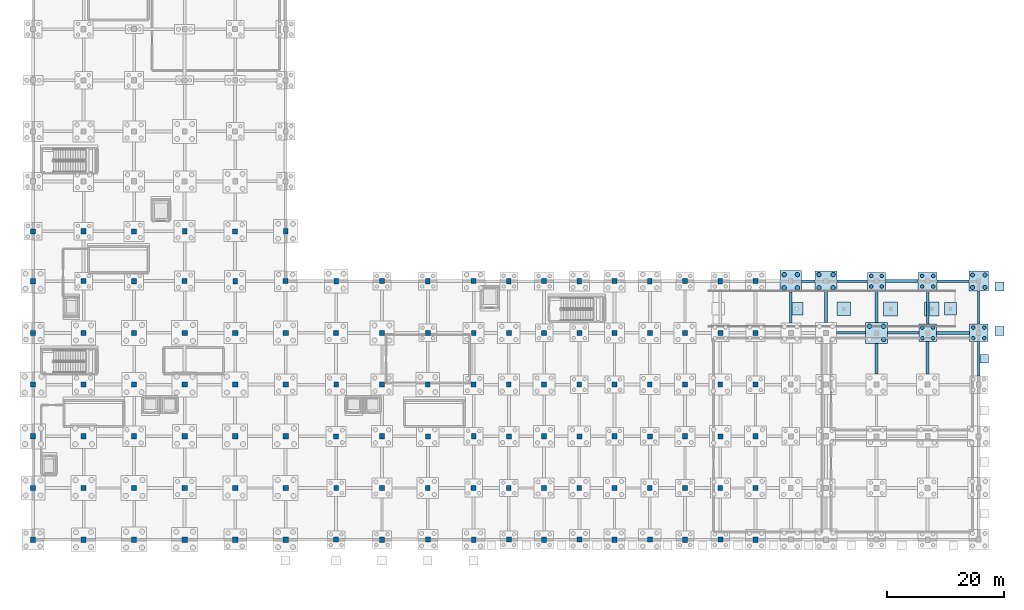
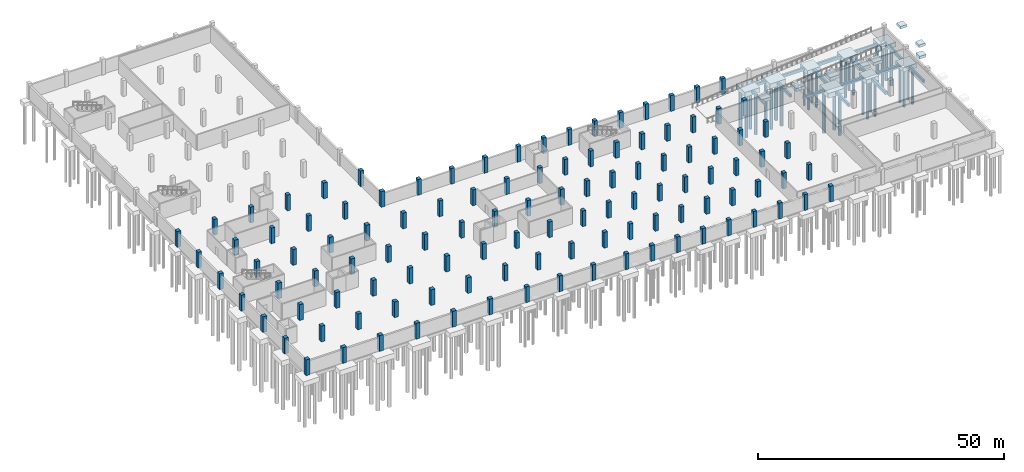
# One storey, part 10 of 28: 114 columns, 31 footings, 31 piles.
"""IFC4 building model written with IfcOpenShell, lengths in metres."""

from ifc_helpers import new_model, si_unit, direction, frame, origin, origin_2d, place, context, subcontext, project, spatial, rectangle, circle, extrude, material, material_profile, profile_set, type_object, element, save


model = new_model("IFC4")

# Units and contexts
model_context = context("Model", 3, precision=1e-05, world=origin(), true_north=direction((0.0, 1.0)))
body_context = subcontext(model_context, "Body", "Model", "MODEL_VIEW")
ifc_project = project(units=[si_unit("LENGTHUNIT", "METRE"), si_unit("AREAUNIT", "SQUARE_METRE"), si_unit("VOLUMEUNIT", "CUBIC_METRE"), si_unit("PLANEANGLEUNIT", "RADIAN"), si_unit("MASSUNIT", "GRAM", prefix="KILO")], contexts=[model_context])

# Site, building, storey
site_placement = place(None, origin())
site = spatial("IfcSite", under=ifc_project, at=site_placement, CompositionType="ELEMENT")
building_placement = place(site_placement, origin())
building = spatial("IfcBuilding", under=site, at=building_placement, Name="Varnakota Cinema and Media Centre", CompositionType="ELEMENT")
storey_placement = place(building_placement, frame((0.0, 0.0, -4.199951171875)))
storey = spatial("IfcBuildingStorey", under=building, at=storey_placement, Name="B1", CompositionType="ELEMENT", Elevation=-4.199951171875)

# Footings
ifc_material_1 = material(Name="Concrete M35", Category="concrete")
ifc_material_profile_1 = material_profile(ifc_material_1, rectangle(XDim=0.39990234375, YDim=0.699951171875, at=origin_2d()), Name="FB 400x700")
ifc_profile_set_1 = profile_set([ifc_material_profile_1], Name="Concrete M35")
footing_type_1 = type_object("IfcFootingType", Name="FB-400x700", PredefinedType="FOOTING_BEAM", material=ifc_profile_set_1)
footing_1_placement = place(storey_placement, frame((136.800048828125, 35.199951171875, -0.60009765625), z_axis=(1.0, 0.0, 0.0), x_axis=(0.0, 1.0, 0.0)))
element("IfcFooting", 1, at=footing_1_placement, inside=storey, type_object=footing_type_1, Name="Foundation tie beam V-W/5", PredefinedType="FOOTING_BEAM", context=body_context, shape_type="SweptSolid", body=[
    extrude(rectangle(XDim=0.39990234375, YDim=0.699951171875, at=origin_2d()), origin(), (0.0, 0.0, 1.0), 4.89990234375),
])
footing_2_placement = place(storey_placement, frame((130.800048828125, 44.0, -0.60009765625), z_axis=(1.0, 0.0, 0.0), x_axis=(0.0, 1.0, 0.0)))
element("IfcFooting", 2, at=footing_2_placement, inside=storey, type_object=footing_type_1, Name="Foundation tie beam U-V/6", PredefinedType="FOOTING_BEAM", context=body_context, shape_type="SweptSolid", body=[
    extrude(rectangle(XDim=0.39990234375, YDim=0.699951171875, at=origin_2d()), origin(), (0.0, 0.0, 1.0), 2.300048828125),
])
footing_3_placement = place(storey_placement, frame((153.89990234375, 44.0, -0.60009765625), z_axis=(1.0, 0.0, 0.0), x_axis=(0.0, 1.0, 0.0)))
element("IfcFooting", 3, at=footing_3_placement, inside=storey, type_object=footing_type_1, Name="Foundation tie beam X-Y/6", PredefinedType="FOOTING_BEAM", context=body_context, shape_type="SweptSolid", body=[
    extrude(rectangle(XDim=0.39990234375, YDim=0.699951171875, at=origin_2d()), origin(), (0.0, 0.0, 1.0), 5.400146484375),
])
footing_4_placement = place(storey_placement, frame((129.0, 36.89990234375, -0.60009765625), z_axis=(0.0, 1.0, 0.0), x_axis=(-1.0, 0.0, 0.0)))
element("IfcFooting", 4, at=footing_4_placement, inside=storey, type_object=footing_type_1, Name="Foundation tie beam U/5-6", PredefinedType="FOOTING_BEAM", context=body_context, shape_type="SweptSolid", body=[
    extrude(rectangle(XDim=0.39990234375, YDim=0.699951171875, at=origin_2d()), origin(), (0.0, 0.0, 1.0), 5.300048828125),
])
footing_5_placement = place(storey_placement, frame((152.300048828125, 36.699951171875, -0.60009765625), z_axis=(0.0, 1.0, 0.0), x_axis=(-1.0, 0.0, 0.0)))
element("IfcFooting", 5, at=footing_5_placement, inside=storey, type_object=footing_type_1, Name="Foundation tie beam X/5-6", PredefinedType="FOOTING_BEAM", context=body_context, shape_type="SweptSolid", body=[
    extrude(rectangle(XDim=0.39990234375, YDim=0.699951171875, at=origin_2d()), origin(), (0.0, 0.0, 1.0), 5.824951171875),
])
footing_6_placement = place(storey_placement, frame((161.0, 27.89990234375, -0.60009765625), z_axis=(0.0, 1.0, 0.0), x_axis=(-1.0, 0.0, 0.0)))
element("IfcFooting", 6, at=footing_6_placement, inside=storey, type_object=footing_type_1, Name="Foundation tie beam Y/4-5", PredefinedType="FOOTING_BEAM", context=body_context, shape_type="SweptSolid", body=[
    extrude(rectangle(XDim=0.39990234375, YDim=0.699951171875, at=origin_2d()), origin(), (0.0, 0.0, 1.0), 5.8251953125),
])
ifc_material_2 = material(Name="Concrete M35", Category="concrete")
ifc_material_profile_2 = material_profile(ifc_material_2, rectangle(XDim=0.449951171875, YDim=0.75, at=origin_2d()), Name="FB 450x750")
ifc_profile_set_2 = profile_set([ifc_material_profile_2], Name="Concrete M35")
footing_type_2 = type_object("IfcFootingType", Name="FB-450x750", PredefinedType="FOOTING_BEAM", material=ifc_profile_set_2)
footing_7_placement = place(storey_placement, frame((145.5, 35.199951171875, -0.625), z_axis=(1.0, 0.0, 0.0), x_axis=(0.0, 1.0, 0.0)))
element("IfcFooting", 7, at=footing_7_placement, inside=storey, type_object=footing_type_2, Name="Foundation tie beam W-X/5", PredefinedType="FOOTING_BEAM", context=body_context, shape_type="SweptSolid", body=[
    extrude(rectangle(XDim=0.449951171875, YDim=0.75, at=origin_2d()), origin(), (0.0, 0.0, 1.0), 5.300048828125),
])
footing_8_placement = place(storey_placement, frame((136.89990234375, 44.0, -0.625), z_axis=(1.0, 0.0, 0.0), x_axis=(0.0, 1.0, 0.0)))
element("IfcFooting", 8, at=footing_8_placement, inside=storey, type_object=footing_type_2, Name="Foundation tie beam V-W/6", PredefinedType="FOOTING_BEAM", context=body_context, shape_type="SweptSolid", body=[
    extrude(rectangle(XDim=0.449951171875, YDim=0.75, at=origin_2d()), origin(), (0.0, 0.0, 1.0), 5.2001953125),
])
for number, where, z_axis, x_axis, name in (
    (9, (135.0, 37.0, -0.625), (0.0, 1.0, 0.0), (-1.0, 0.0, 0.0), "Foundation tie beam V/5-6"),
    (10, (143.60009765625, 28.199951171875, -0.625), (0.0, 1.0, 0.0), (-1.0, 0.0, 0.0), "Foundation tie beam W/4-5"),
):
    element("IfcFooting", number, at=place(storey_placement, frame(where, z_axis=z_axis, x_axis=x_axis)), inside=storey, type_object=footing_type_2, Name=name, PredefinedType="FOOTING_BEAM", context=body_context, shape_type="SweptSolid", body=[
        extrude(rectangle(XDim=0.449951171875, YDim=0.75, at=origin_2d()), origin(), (0.0, 0.0, 1.0), 5.22509765625),
    ])
footing_9_placement = place(storey_placement, frame((161.0, 36.675048828125, -0.625), z_axis=(0.0, 1.0, 0.0), x_axis=(-1.0, 0.0, 0.0)))
element("IfcFooting", 11, at=footing_9_placement, inside=storey, type_object=footing_type_2, Name="Foundation tie beam Y/5-6", PredefinedType="FOOTING_BEAM", context=body_context, shape_type="SweptSolid", body=[
    extrude(rectangle(XDim=0.449951171875, YDim=0.75, at=origin_2d()), origin(), (0.0, 0.0, 1.0), 5.625),
])
ifc_material_3 = material(Name="Concrete M35", Category="concrete")
ifc_material_profile_3 = material_profile(ifc_material_3, rectangle(XDim=0.5, YDim=0.800048828125, at=origin_2d()), Name="FB 500x800")
ifc_profile_set_3 = profile_set([ifc_material_profile_3], Name="Concrete M35")
footing_type_3 = type_object("IfcFootingType", Name="FB-500x800", PredefinedType="FOOTING_BEAM", material=ifc_profile_set_3)
for number, where, z_axis, x_axis, name in (
    (12, (153.800048828125, 35.199951171875, -0.650146484375), (1.0, 0.0, 0.0), (0.0, 1.0, 0.0), "Foundation tie beam X-Y/5"),
    (13, (145.10009765625, 44.0, -0.650146484375), (1.0, 0.0, 0.0), (0.0, 1.0, 0.0), "Foundation tie beam W-X/6"),
):
    element("IfcFooting", number, at=place(storey_placement, frame(where, z_axis=z_axis, x_axis=x_axis)), inside=storey, type_object=footing_type_3, Name=name, PredefinedType="FOOTING_BEAM", context=body_context, shape_type="SweptSolid", body=[
        extrude(rectangle(XDim=0.5, YDim=0.800048828125, at=origin_2d()), origin(), (0.0, 0.0, 1.0), 5.599853515625),
    ])
for number, where, z_axis, x_axis, name in (
    (14, (143.60009765625, 36.97509765625, -0.650146484375), (0.0, 1.0, 0.0), (-1.0, 0.0, 0.0), "Foundation tie beam W/5-6"),
    (15, (152.300048828125, 28.175048828125, -0.650146484375), (0.0, 1.0, 0.0), (-1.0, 0.0, 0.0), "Foundation tie beam X/4-5"),
):
    element("IfcFooting", number, at=place(storey_placement, frame(where, z_axis=z_axis, x_axis=x_axis)), inside=storey, type_object=footing_type_3, Name=name, PredefinedType="FOOTING_BEAM", context=body_context, shape_type="SweptSolid", body=[
        extrude(rectangle(XDim=0.5, YDim=0.800048828125, at=origin_2d()), origin(), (0.0, 0.0, 1.0), 5.52490234375),
    ])
ifc_material_4 = material(Name="Concrete M35", Category="concrete")
footing_type_4 = type_object("IfcFootingType", Name="PC-4P-600", PredefinedType="PILE_CAP", material=ifc_material_4)
for number, where, z_axis, x_axis, name in (
    (16, (143.60009765625, 44.0, -1.30029296875), (0.0, 0.0, 1.0), (1.0, 0.0, 0.0), "Pile cap W/6"),
    (17, (152.300048828125, 35.199951171875, -1.30029296875), (0.0, 0.0, 1.0), (1.0, 0.0, 0.0), "Pile cap X/5"),
):
    element("IfcFooting", number, at=place(storey_placement, frame(where, z_axis=z_axis, x_axis=x_axis)), inside=storey, type_object=footing_type_4, Name=name, PredefinedType="PILE_CAP", context=body_context, shape_type="SweptSolid", body=[
        extrude(rectangle(XDim=3.0, YDim=3.0, at=origin_2d()), origin(), (0.0, 0.0, 1.0), 1.050048828125),
    ])
ifc_material_5 = material(Name="Concrete M35", Category="concrete")
footing_type_5 = type_object("IfcFootingType", Name="PC-4P-600R", PredefinedType="PILE_CAP", material=ifc_material_5)
for number, where, z_axis, x_axis, name in (
    (18, (152.300048828125, 44.0, -1.330078125), (0.0, 0.0, 1.0), (1.0, 0.0, 0.0), "Pile cap X/6"),
    (19, (161.0, 35.199951171875, -1.330078125), (0.0, 0.0, 1.0), (1.0, 0.0, 0.0), "Pile cap Y/5"),
):
    element("IfcFooting", number, at=place(storey_placement, frame(where, z_axis=z_axis, x_axis=x_axis)), inside=storey, type_object=footing_type_5, Name=name, PredefinedType="PILE_CAP", context=body_context, shape_type="SweptSolid", body=[
        extrude(rectangle(XDim=3.199951171875, YDim=2.949951171875, at=origin_2d()), origin(), (0.0, 0.0, 1.0), 1.080078125),
    ])
ifc_material_6 = material(Name="Concrete M35", Category="concrete")
footing_type_6 = type_object("IfcFootingType", Name="PC-4P-700", PredefinedType="PILE_CAP", material=ifc_material_6)
footing_10_placement = place(storey_placement, frame((161.0, 44.0, -1.3701171875), z_axis=(0.0, 0.0, 1.0), x_axis=(1.0, 0.0, 0.0)))
element("IfcFooting", 20, at=footing_10_placement, inside=storey, type_object=footing_type_6, Name="Pile cap Y/6", PredefinedType="PILE_CAP", context=body_context, shape_type="SweptSolid", body=[
    extrude(rectangle(XDim=3.39990234375, YDim=3.39990234375, at=origin_2d()), origin(), (0.0, 0.0, 1.0), 1.1201171875),
])
ifc_material_7 = material(Name="Concrete M35", Category="concrete")
footing_type_7 = type_object("IfcFootingType", Name="PC-4P-750", PredefinedType="PILE_CAP", material=ifc_material_7)
footing_11_placement = place(storey_placement, frame((129.0, 44.0, -1.43017578125), z_axis=(0.0, 0.0, 1.0), x_axis=(1.0, 0.0, 0.0)))
element("IfcFooting", 21, at=footing_11_placement, inside=storey, type_object=footing_type_7, Name="Pile cap U/6", PredefinedType="PILE_CAP", context=body_context, shape_type="SweptSolid", body=[
    extrude(rectangle(XDim=3.60009765625, YDim=3.60009765625, at=origin_2d()), origin(), (0.0, 0.0, 1.0), 1.179931640625),
])
ifc_material_8 = material(Name="Concrete M35", Category="concrete")
footing_type_8 = type_object("IfcFootingType", Name="PC-4P-750R", PredefinedType="PILE_CAP", material=ifc_material_8)
for number, where, z_axis, x_axis, name in (
    (22, (135.0, 44.0, -1.4501953125), (0.0, 0.0, 1.0), (1.0, 0.0, 0.0), "Pile cap V/6"),
    (23, (143.60009765625, 35.199951171875, -1.4501953125), (0.0, 0.0, 1.0), (1.0, 0.0, 0.0), "Pile cap W/5"),
):
    element("IfcFooting", number, at=place(storey_placement, frame(where, z_axis=z_axis, x_axis=x_axis)), inside=storey, type_object=footing_type_8, Name=name, PredefinedType="PILE_CAP", context=body_context, shape_type="SweptSolid", body=[
        extrude(rectangle(XDim=3.800048828125, YDim=3.550048828125, at=origin_2d()), origin(), (0.0, 0.0, 1.0), 1.199951171875),
    ])
ifc_material_9 = material(Name="Concrete M35", Category="concrete")
footing_type_9 = type_object("IfcFootingType", Name="PF-150", PredefinedType="PAD_FOOTING", material=ifc_material_9)
for number, where, z_axis, x_axis, name in (
    (24, (164.550048828125, 35.5, 2.594970703125), (0.0, 0.0, 1.0), (1.0, 0.0, 0.0), "East ramp apron edge pad footing 1"),
    (25, (164.550048828125, 43.10009765625, 2.594970703125), (0.0, 0.0, 1.0), (1.0, 0.0, 0.0), "East ramp apron edge pad footing 2"),
    (26, (161.949951171875, 30.800048828125, 3.52490234375), (0.0, 0.0, 1.0), (1.0, 0.0, 0.0), "Hall east buttress pad footing 4"),
):
    element("IfcFooting", number, at=place(storey_placement, frame(where, z_axis=z_axis, x_axis=x_axis)), inside=storey, type_object=footing_type_9, Name=name, PredefinedType="PAD_FOOTING", context=body_context, shape_type="SweptSolid", body=[
        extrude(rectangle(XDim=1.5, YDim=1.5, at=origin_2d()), origin(), (0.0, 0.0, 1.0), 0.64990234375),
    ])
ifc_material_10 = material(Name="Concrete M35", Category="concrete")
footing_type_10 = type_object("IfcFootingType", Name="PF-210", PredefinedType="PAD_FOOTING", material=ifc_material_10)
for number, where, z_axis, x_axis, name in (
    (27, (156.199951171875, 39.300048828125, -1.0), (0.0, 0.0, 1.0), (1.0, 0.0, 0.0), "B1 car ramp top sill pad"),
    (28, (130.0, 39.300048828125, -1.0), (0.0, 0.0, 1.0), (1.0, 0.0, 0.0), "B1 car ramp pier pad X=130"),
):
    element("IfcFooting", number, at=place(storey_placement, frame(where, z_axis=z_axis, x_axis=x_axis)), inside=storey, type_object=footing_type_10, Name=name, PredefinedType="PAD_FOOTING", context=body_context, shape_type="SweptSolid", body=[
        extrude(rectangle(XDim=2.10009765625, YDim=2.10009765625, at=origin_2d()), origin(), (0.0, 0.0, 1.0), 0.75),
    ])
ifc_material_11 = material(Name="Concrete M35", Category="concrete")
footing_type_11 = type_object("IfcFootingType", Name="PF-225", PredefinedType="PAD_FOOTING", material=ifc_material_11)
footing_12_placement = place(storey_placement, frame((138.0, 39.300048828125, -1.0302734375), z_axis=(0.0, 0.0, 1.0), x_axis=(1.0, 0.0, 0.0)))
element("IfcFooting", 29, at=footing_12_placement, inside=storey, type_object=footing_type_11, Name="B1 car ramp pier pad X=138", PredefinedType="PAD_FOOTING", context=body_context, shape_type="SweptSolid", body=[
    extrude(rectangle(XDim=2.25, YDim=2.25, at=origin_2d()), origin(), (0.0, 0.0, 1.0), 0.780029296875),
])
ifc_material_12 = material(Name="Concrete M35", Category="concrete")
footing_type_12 = type_object("IfcFootingType", Name="PF-240", PredefinedType="PAD_FOOTING", material=ifc_material_12)
footing_13_placement = place(storey_placement, frame((146.0, 39.300048828125, -1.05029296875), z_axis=(0.0, 0.0, 1.0), x_axis=(1.0, 0.0, 0.0)))
element("IfcFooting", 30, at=footing_13_placement, inside=storey, type_object=footing_type_12, Name="B1 car ramp pier pad X=146", PredefinedType="PAD_FOOTING", context=body_context, shape_type="SweptSolid", body=[
    extrude(rectangle(XDim=2.39990234375, YDim=2.39990234375, at=origin_2d()), origin(), (0.0, 0.0, 1.0), 0.800048828125),
])
ifc_material_13 = material(Name="Concrete M35", Category="concrete")
footing_type_13 = type_object("IfcFootingType", Name="PF-255", PredefinedType="PAD_FOOTING", material=ifc_material_13)
footing_14_placement = place(storey_placement, frame((153.0, 39.300048828125, -1.0703125), z_axis=(0.0, 0.0, 1.0), x_axis=(1.0, 0.0, 0.0)))
element("IfcFooting", 31, at=footing_14_placement, inside=storey, type_object=footing_type_13, Name="B1 car ramp pier pad X=153", PredefinedType="PAD_FOOTING", context=body_context, shape_type="SweptSolid", body=[
    extrude(rectangle(XDim=2.550048828125, YDim=2.39990234375, at=origin_2d()), origin(), (0.0, 0.0, 1.0), 0.820068359375),
])

# Piles
ifc_material_14 = material(Name="Concrete M35", Category="concrete")
ifc_material_profile_4 = material_profile(ifc_material_14, circle(Radius=0.300048828125, at=origin_2d()), Name="PILE D600")
ifc_profile_set_4 = profile_set([ifc_material_profile_4], Name="Concrete M35")
pile_type_1 = type_object("IfcPileType", Name="PILE-D600", PredefinedType="BORED", material=ifc_profile_set_4)
for number, where, z_axis, x_axis, name in (
    (32, (142.699951171875, 43.10009765625, -1.199951171875), (0.0, 0.0, -1.0), (1.0, 0.0, 0.0), "Bored pile W/6-1"),
    (33, (144.5, 43.10009765625, -1.199951171875), (0.0, 0.0, -1.0), (1.0, 0.0, 0.0), "Bored pile W/6-2"),
    (34, (142.699951171875, 44.89990234375, -1.199951171875), (0.0, 0.0, -1.0), (1.0, 0.0, 0.0), "Bored pile W/6-3"),
    (35, (144.5, 44.89990234375, -1.199951171875), (0.0, 0.0, -1.0), (1.0, 0.0, 0.0), "Bored pile W/6-4"),
    (36, (151.39990234375, 34.300048828125, -1.199951171875), (0.0, 0.0, -1.0), (1.0, 0.0, 0.0), "Bored pile X/5-1"),
    (37, (153.199951171875, 34.300048828125, -1.199951171875), (0.0, 0.0, -1.0), (1.0, 0.0, 0.0), "Bored pile X/5-2"),
    (38, (151.39990234375, 36.10009765625, -1.199951171875), (0.0, 0.0, -1.0), (1.0, 0.0, 0.0), "Bored pile X/5-3"),
    (39, (153.199951171875, 36.10009765625, -1.199951171875), (0.0, 0.0, -1.0), (1.0, 0.0, 0.0), "Bored pile X/5-4"),
    (40, (151.35009765625, 43.10009765625, -1.22998046875), (0.0, 0.0, -1.0), (1.0, 0.0, 0.0), "Bored pile X/6-1"),
    (41, (153.25, 43.10009765625, -1.22998046875), (0.0, 0.0, -1.0), (1.0, 0.0, 0.0), "Bored pile X/6-2"),
    (42, (151.35009765625, 44.89990234375, -1.22998046875), (0.0, 0.0, -1.0), (1.0, 0.0, 0.0), "Bored pile X/6-3"),
    (43, (153.25, 44.89990234375, -1.22998046875), (0.0, 0.0, -1.0), (1.0, 0.0, 0.0), "Bored pile X/6-4"),
    (44, (160.050048828125, 34.300048828125, -1.22998046875), (0.0, 0.0, -1.0), (1.0, 0.0, 0.0), "Bored pile Y/5-1"),
    (45, (161.949951171875, 34.300048828125, -1.22998046875), (0.0, 0.0, -1.0), (1.0, 0.0, 0.0), "Bored pile Y/5-2"),
    (46, (160.050048828125, 36.10009765625, -1.22998046875), (0.0, 0.0, -1.0), (1.0, 0.0, 0.0), "Bored pile Y/5-3"),
    (47, (161.949951171875, 36.10009765625, -1.22998046875), (0.0, 0.0, -1.0), (1.0, 0.0, 0.0), "Bored pile Y/5-4"),
):
    element("IfcPile", number, at=place(storey_placement, frame(where, z_axis=z_axis, x_axis=x_axis)), inside=storey, type_object=pile_type_1, Name=name, PredefinedType="BORED", context=body_context, shape_type="SweptSolid", body=[
        extrude(circle(Radius=0.300048828125, at=origin_2d()), origin(), (0.0, 0.0, 1.0), 9.199951171875),
    ])
ifc_material_15 = material(Name="Concrete M35", Category="concrete")
ifc_material_profile_5 = material_profile(ifc_material_15, circle(Radius=0.35009765625, at=origin_2d()), Name="PILE D700")
ifc_profile_set_5 = profile_set([ifc_material_profile_5], Name="Concrete M35")
pile_type_2 = type_object("IfcPileType", Name="PILE-D700", PredefinedType="BORED", material=ifc_profile_set_5)
for number, where, z_axis, x_axis, name in (
    (48, (159.949951171875, 42.949951171875, -1.27001953125), (0.0, 0.0, -1.0), (1.0, 0.0, 0.0), "Bored pile Y/6-1"),
    (49, (162.050048828125, 42.949951171875, -1.27001953125), (0.0, 0.0, -1.0), (1.0, 0.0, 0.0), "Bored pile Y/6-2"),
    (50, (159.949951171875, 45.050048828125, -1.27001953125), (0.0, 0.0, -1.0), (1.0, 0.0, 0.0), "Bored pile Y/6-3"),
    (51, (162.050048828125, 45.050048828125, -1.27001953125), (0.0, 0.0, -1.0), (1.0, 0.0, 0.0), "Bored pile Y/6-4"),
):
    element("IfcPile", number, at=place(storey_placement, frame(where, z_axis=z_axis, x_axis=x_axis)), inside=storey, type_object=pile_type_2, Name=name, PredefinedType="BORED", context=body_context, shape_type="SweptSolid", body=[
        extrude(circle(Radius=0.35009765625, at=origin_2d()), origin(), (0.0, 0.0, 1.0), 9.800048828125),
    ])
ifc_material_16 = material(Name="Concrete M35", Category="concrete")
ifc_material_profile_6 = material_profile(ifc_material_16, circle(Radius=0.375, at=origin_2d()), Name="PILE D750")
ifc_profile_set_6 = profile_set([ifc_material_profile_6], Name="Concrete M35")
pile_type_3 = type_object("IfcPileType", Name="PILE-D750", PredefinedType="BORED", material=ifc_profile_set_6)
for number, where, z_axis, x_axis, name in (
    (52, (127.875, 42.875, -1.330078125), (0.0, 0.0, -1.0), (1.0, 0.0, 0.0), "Bored pile U/6-1"),
    (53, (130.125, 42.875, -1.330078125), (0.0, 0.0, -1.0), (1.0, 0.0, 0.0), "Bored pile U/6-2"),
    (54, (127.875, 45.125, -1.330078125), (0.0, 0.0, -1.0), (1.0, 0.0, 0.0), "Bored pile U/6-3"),
    (55, (130.125, 45.125, -1.330078125), (0.0, 0.0, -1.0), (1.0, 0.0, 0.0), "Bored pile U/6-4"),
    (56, (133.800048828125, 42.875, -1.35009765625), (0.0, 0.0, -1.0), (1.0, 0.0, 0.0), "Bored pile V/6-1"),
    (57, (136.199951171875, 42.875, -1.35009765625), (0.0, 0.0, -1.0), (1.0, 0.0, 0.0), "Bored pile V/6-2"),
    (58, (133.800048828125, 45.125, -1.35009765625), (0.0, 0.0, -1.0), (1.0, 0.0, 0.0), "Bored pile V/6-3"),
    (59, (136.199951171875, 45.125, -1.35009765625), (0.0, 0.0, -1.0), (1.0, 0.0, 0.0), "Bored pile V/6-4"),
    (60, (144.800048828125, 34.074951171875, -1.35009765625), (0.0, 0.0, -1.0), (1.0, 0.0, 0.0), "Bored pile W/5-2"),
    (61, (142.39990234375, 36.324951171875, -1.35009765625), (0.0, 0.0, -1.0), (1.0, 0.0, 0.0), "Bored pile W/5-3"),
    (62, (144.800048828125, 36.324951171875, -1.35009765625), (0.0, 0.0, -1.0), (1.0, 0.0, 0.0), "Bored pile W/5-4"),
):
    element("IfcPile", number, at=place(storey_placement, frame(where, z_axis=z_axis, x_axis=x_axis)), inside=storey, type_object=pile_type_3, Name=name, PredefinedType="BORED", context=body_context, shape_type="SweptSolid", body=[
        extrude(circle(Radius=0.375, at=origin_2d()), origin(), (0.0, 0.0, 1.0), 10.60009765625),
    ])

# Columns
ifc_material_17 = material(Name="Concrete M40", Category="concrete")
ifc_material_profile_7 = material_profile(ifc_material_17, rectangle(XDim=0.800048828125, YDim=0.89990234375, at=origin_2d()), Name="RC 800x900")
ifc_profile_set_7 = profile_set([ifc_material_profile_7], Name="Concrete M40")
column_type_1 = type_object("IfcColumnType", Name="COL-RC-800x900", PredefinedType="COLUMN", material=ifc_profile_set_7)
for number, where, z_axis, x_axis, name in (
    (63, (0.0, 44.0, 0.0), (0.0, 0.0, 1.0), (1.0, 0.0, 0.0), "B1 column A/6"),
    (64, (8.60009765625, 52.5, 0.0), (0.0, 0.0, 1.0), (1.0, 0.0, 0.0), "B1 column B/7"),
    (65, (17.199951171875, 44.0, 0.0), (0.0, 0.0, 1.0), (1.0, 0.0, 0.0), "B1 column C/6"),
    (66, (25.800048828125, 52.5, 0.0), (0.0, 0.0, 1.0), (1.0, 0.0, 0.0), "B1 column D/7"),
    (67, (34.39990234375, 44.0, 0.0), (0.0, 0.0, 1.0), (1.0, 0.0, 0.0), "B1 column E/6"),
    (68, (43.0, 52.5, 0.0), (0.0, 0.0, 1.0), (1.0, 0.0, 0.0), "B1 column F/7"),
    (69, (51.60009765625, 8.800048828125, 0.0), (0.0, 0.0, 1.0), (1.0, 0.0, 0.0), "B1 column G/2"),
    (70, (51.60009765625, 26.39990234375, 0.0), (0.0, 0.0, 1.0), (1.0, 0.0, 0.0), "B1 column G/4"),
    (71, (51.60009765625, 44.0, 0.0), (0.0, 0.0, 1.0), (1.0, 0.0, 0.0), "B1 column G/6"),
    (72, (59.39990234375, 0.0, 0.0), (0.0, 0.0, 1.0), (1.0, 0.0, 0.0), "B1 column H/1"),
    (73, (59.39990234375, 17.60009765625, 0.0), (0.0, 0.0, 1.0), (1.0, 0.0, 0.0), "B1 column H/3"),
    (74, (59.39990234375, 35.199951171875, 0.0), (0.0, 0.0, 1.0), (1.0, 0.0, 0.0), "B1 column H/5"),
    (75, (67.199951171875, 8.800048828125, 0.0), (0.0, 0.0, 1.0), (1.0, 0.0, 0.0), "B1 column J/2"),
    (76, (67.199951171875, 26.39990234375, 0.0), (0.0, 0.0, 1.0), (1.0, 0.0, 0.0), "B1 column J/4"),
    (77, (67.199951171875, 44.0, 0.0), (0.0, 0.0, 1.0), (1.0, 0.0, 0.0), "B1 column J/6"),
    (78, (75.0, 0.0, 0.0), (0.0, 0.0, 1.0), (1.0, 0.0, 0.0), "B1 column K/1"),
    (79, (75.0, 17.60009765625, 0.0), (0.0, 0.0, 1.0), (1.0, 0.0, 0.0), "B1 column K/3"),
    (80, (75.0, 35.199951171875, 0.0), (0.0, 0.0, 1.0), (1.0, 0.0, 0.0), "B1 column K/5"),
    (81, (81.0, 8.800048828125, 0.0), (0.0, 0.0, 1.0), (1.0, 0.0, 0.0), "B1 column L/2"),
    (82, (81.0, 26.39990234375, 0.0), (0.0, 0.0, 1.0), (1.0, 0.0, 0.0), "B1 column L/4"),
    (83, (81.0, 44.0, 0.0), (0.0, 0.0, 1.0), (1.0, 0.0, 0.0), "B1 column L/6"),
    (84, (87.0, 0.0, 0.0), (0.0, 0.0, 1.0), (1.0, 0.0, 0.0), "B1 column M/1"),
    (85, (87.0, 17.60009765625, 0.0), (0.0, 0.0, 1.0), (1.0, 0.0, 0.0), "B1 column M/3"),
    (86, (87.0, 35.199951171875, 0.0), (0.0, 0.0, 1.0), (1.0, 0.0, 0.0), "B1 column M/5"),
    (87, (93.0, 8.800048828125, 0.0), (0.0, 0.0, 1.0), (1.0, 0.0, 0.0), "B1 column N/2"),
    (88, (93.0, 26.39990234375, 0.0), (0.0, 0.0, 1.0), (1.0, 0.0, 0.0), "B1 column N/4"),
    (89, (93.0, 44.0, 0.0), (0.0, 0.0, 1.0), (1.0, 0.0, 0.0), "B1 column N/6"),
    (90, (99.0, 0.0, 0.0), (0.0, 0.0, 1.0), (1.0, 0.0, 0.0), "B1 column P/1"),
    (91, (99.0, 17.60009765625, 0.0), (0.0, 0.0, 1.0), (1.0, 0.0, 0.0), "B1 column P/3"),
    (92, (99.0, 35.199951171875, 0.0), (0.0, 0.0, 1.0), (1.0, 0.0, 0.0), "B1 column P/5"),
    (93, (105.0, 8.800048828125, 0.0), (0.0, 0.0, 1.0), (1.0, 0.0, 0.0), "B1 column Q/2"),
    (94, (105.0, 26.39990234375, 0.0), (0.0, 0.0, 1.0), (1.0, 0.0, 0.0), "B1 column Q/4"),
    (95, (105.0, 44.0, 0.0), (0.0, 0.0, 1.0), (1.0, 0.0, 0.0), "B1 column Q/6"),
    (96, (111.0, 0.0, 0.0), (0.0, 0.0, 1.0), (1.0, 0.0, 0.0), "B1 column R/1"),
    (97, (111.0, 17.60009765625, 0.0), (0.0, 0.0, 1.0), (1.0, 0.0, 0.0), "B1 column R/3"),
    (98, (111.0, 35.199951171875, 0.0), (0.0, 0.0, 1.0), (1.0, 0.0, 0.0), "B1 column R/5"),
    (99, (117.0, 8.800048828125, 0.0), (0.0, 0.0, 1.0), (1.0, 0.0, 0.0), "B1 column S/2"),
    (100, (117.0, 26.39990234375, 0.0), (0.0, 0.0, 1.0), (1.0, 0.0, 0.0), "B1 column S/4"),
    (101, (117.0, 44.0, 0.0), (0.0, 0.0, 1.0), (1.0, 0.0, 0.0), "B1 column S/6"),
    (102, (123.0, 0.0, 0.0), (0.0, 0.0, 1.0), (1.0, 0.0, 0.0), "B1 column T/1"),
    (103, (123.0, 17.60009765625, 0.0), (0.0, 0.0, 1.0), (1.0, 0.0, 0.0), "B1 column T/3"),
    (104, (123.0, 35.199951171875, 0.0), (0.0, 0.0, 1.0), (1.0, 0.0, 0.0), "B1 column T/5"),
):
    element("IfcColumn", number, at=place(storey_placement, frame(where, z_axis=z_axis, x_axis=x_axis)), inside=storey, type_object=column_type_1, Name=name, PredefinedType="COLUMN", context=body_context, shape_type="SweptSolid", body=[
        extrude(rectangle(XDim=0.800048828125, YDim=0.89990234375, at=origin_2d()), origin(), (0.0, 0.0, 1.0), 3.919921875),
    ])
ifc_material_18 = material(Name="Concrete M50", Category="concrete")
ifc_material_profile_8 = material_profile(ifc_material_18, rectangle(XDim=0.85009765625, YDim=0.85009765625, at=origin_2d()), Name="RC 850x850")
ifc_profile_set_8 = profile_set([ifc_material_profile_8], Name="Concrete M50")
column_type_2 = type_object("IfcColumnType", Name="COL-RC-850x850", PredefinedType="COLUMN", material=ifc_profile_set_8)
for number, where, z_axis, x_axis, name in (
    (105, (0.0, 52.5, 0.0), (0.0, 0.0, 1.0), (1.0, 0.0, 0.0), "B1 column A/7"),
    (106, (8.60009765625, 44.0, 0.0), (0.0, 0.0, 1.0), (1.0, 0.0, 0.0), "B1 column B/6"),
    (107, (17.199951171875, 52.5, 0.0), (0.0, 0.0, 1.0), (1.0, 0.0, 0.0), "B1 column C/7"),
    (108, (25.800048828125, 44.0, 0.0), (0.0, 0.0, 1.0), (1.0, 0.0, 0.0), "B1 column D/6"),
    (109, (34.39990234375, 52.5, 0.0), (0.0, 0.0, 1.0), (1.0, 0.0, 0.0), "B1 column E/7"),
    (110, (43.0, 44.0, 0.0), (0.0, 0.0, 1.0), (1.0, 0.0, 0.0), "B1 column F/6"),
    (111, (51.60009765625, 0.0, 0.0), (0.0, 0.0, 1.0), (1.0, 0.0, 0.0), "B1 column G/1"),
    (112, (51.60009765625, 17.60009765625, 0.0), (0.0, 0.0, 1.0), (1.0, 0.0, 0.0), "B1 column G/3"),
    (113, (51.60009765625, 35.199951171875, 0.0), (0.0, 0.0, 1.0), (1.0, 0.0, 0.0), "B1 column G/5"),
    (114, (59.39990234375, 8.800048828125, 0.0), (0.0, 0.0, 1.0), (1.0, 0.0, 0.0), "B1 column H/2"),
    (115, (59.39990234375, 26.39990234375, 0.0), (0.0, 0.0, 1.0), (1.0, 0.0, 0.0), "B1 column H/4"),
    (116, (59.39990234375, 44.0, 0.0), (0.0, 0.0, 1.0), (1.0, 0.0, 0.0), "B1 column H/6"),
    (117, (67.199951171875, 0.0, 0.0), (0.0, 0.0, 1.0), (1.0, 0.0, 0.0), "B1 column J/1"),
    (118, (67.199951171875, 17.60009765625, 0.0), (0.0, 0.0, 1.0), (1.0, 0.0, 0.0), "B1 column J/3"),
    (119, (67.199951171875, 35.199951171875, 0.0), (0.0, 0.0, 1.0), (1.0, 0.0, 0.0), "B1 column J/5"),
    (120, (75.0, 8.800048828125, 0.0), (0.0, 0.0, 1.0), (1.0, 0.0, 0.0), "B1 column K/2"),
    (121, (75.0, 26.39990234375, 0.0), (0.0, 0.0, 1.0), (1.0, 0.0, 0.0), "B1 column K/4"),
    (122, (75.0, 44.0, 0.0), (0.0, 0.0, 1.0), (1.0, 0.0, 0.0), "B1 column K/6"),
    (123, (81.0, 0.0, 0.0), (0.0, 0.0, 1.0), (1.0, 0.0, 0.0), "B1 column L/1"),
    (124, (81.0, 17.60009765625, 0.0), (0.0, 0.0, 1.0), (1.0, 0.0, 0.0), "B1 column L/3"),
    (125, (81.0, 35.199951171875, 0.0), (0.0, 0.0, 1.0), (1.0, 0.0, 0.0), "B1 column L/5"),
    (126, (87.0, 8.800048828125, 0.0), (0.0, 0.0, 1.0), (1.0, 0.0, 0.0), "B1 column M/2"),
    (127, (87.0, 26.39990234375, 0.0), (0.0, 0.0, 1.0), (1.0, 0.0, 0.0), "B1 column M/4"),
    (128, (87.0, 44.0, 0.0), (0.0, 0.0, 1.0), (1.0, 0.0, 0.0), "B1 column M/6"),
    (129, (93.0, 0.0, 0.0), (0.0, 0.0, 1.0), (1.0, 0.0, 0.0), "B1 column N/1"),
    (130, (93.0, 17.60009765625, 0.0), (0.0, 0.0, 1.0), (1.0, 0.0, 0.0), "B1 column N/3"),
    (131, (93.0, 35.199951171875, 0.0), (0.0, 0.0, 1.0), (1.0, 0.0, 0.0), "B1 column N/5"),
    (132, (99.0, 8.800048828125, 0.0), (0.0, 0.0, 1.0), (1.0, 0.0, 0.0), "B1 column P/2"),
    (133, (99.0, 26.39990234375, 0.0), (0.0, 0.0, 1.0), (1.0, 0.0, 0.0), "B1 column P/4"),
    (134, (99.0, 44.0, 0.0), (0.0, 0.0, 1.0), (1.0, 0.0, 0.0), "B1 column P/6"),
    (135, (105.0, 0.0, 0.0), (0.0, 0.0, 1.0), (1.0, 0.0, 0.0), "B1 column Q/1"),
    (136, (105.0, 17.60009765625, 0.0), (0.0, 0.0, 1.0), (1.0, 0.0, 0.0), "B1 column Q/3"),
    (137, (105.0, 35.199951171875, 0.0), (0.0, 0.0, 1.0), (1.0, 0.0, 0.0), "B1 column Q/5"),
    (138, (111.0, 8.800048828125, 0.0), (0.0, 0.0, 1.0), (1.0, 0.0, 0.0), "B1 column R/2"),
    (139, (111.0, 26.39990234375, 0.0), (0.0, 0.0, 1.0), (1.0, 0.0, 0.0), "B1 column R/4"),
    (140, (111.0, 44.0, 0.0), (0.0, 0.0, 1.0), (1.0, 0.0, 0.0), "B1 column R/6"),
    (141, (117.0, 0.0, 0.0), (0.0, 0.0, 1.0), (1.0, 0.0, 0.0), "B1 column S/1"),
    (142, (117.0, 17.60009765625, 0.0), (0.0, 0.0, 1.0), (1.0, 0.0, 0.0), "B1 column S/3"),
    (143, (117.0, 35.199951171875, 0.0), (0.0, 0.0, 1.0), (1.0, 0.0, 0.0), "B1 column S/5"),
    (144, (123.0, 8.800048828125, 0.0), (0.0, 0.0, 1.0), (1.0, 0.0, 0.0), "B1 column T/2"),
    (145, (123.0, 26.39990234375, 0.0), (0.0, 0.0, 1.0), (1.0, 0.0, 0.0), "B1 column T/4"),
    (146, (123.0, 44.0, 0.0), (0.0, 0.0, 1.0), (1.0, 0.0, 0.0), "B1 column T/6"),
):
    element("IfcColumn", number, at=place(storey_placement, frame(where, z_axis=z_axis, x_axis=x_axis)), inside=storey, type_object=column_type_2, Name=name, PredefinedType="COLUMN", context=body_context, shape_type="SweptSolid", body=[
        extrude(rectangle(XDim=0.85009765625, YDim=0.85009765625, at=origin_2d()), origin(), (0.0, 0.0, 1.0), 3.919921875),
    ])
ifc_material_19 = material(Name="Concrete M50", Category="concrete")
ifc_material_profile_9 = material_profile(ifc_material_19, rectangle(XDim=0.89990234375, YDim=0.89990234375, at=origin_2d()), Name="RC 900x900")
ifc_profile_set_9 = profile_set([ifc_material_profile_9], Name="Concrete M50")
column_type_3 = type_object("IfcColumnType", Name="COL-RC-900x900", PredefinedType="COLUMN", material=ifc_profile_set_9)
for number, where, z_axis, x_axis, name in (
    (147, (0.0, 0.0, 0.0), (0.0, 0.0, 1.0), (1.0, 0.0, 0.0), "B1 column A/1"),
    (148, (0.0, 8.800048828125, 0.0), (0.0, 0.0, 1.0), (1.0, 0.0, 0.0), "B1 column A/2"),
    (149, (0.0, 17.60009765625, 0.0), (0.0, 0.0, 1.0), (1.0, 0.0, 0.0), "B1 column A/3"),
    (150, (0.0, 26.39990234375, 0.0), (0.0, 0.0, 1.0), (1.0, 0.0, 0.0), "B1 column A/4"),
    (151, (0.0, 35.199951171875, 0.0), (0.0, 0.0, 1.0), (1.0, 0.0, 0.0), "B1 column A/5"),
    (152, (8.60009765625, 0.0, 0.0), (0.0, 0.0, 1.0), (1.0, 0.0, 0.0), "B1 column B/1"),
    (153, (8.60009765625, 8.800048828125, 0.0), (0.0, 0.0, 1.0), (1.0, 0.0, 0.0), "B1 column B/2"),
    (154, (8.60009765625, 17.60009765625, 0.0), (0.0, 0.0, 1.0), (1.0, 0.0, 0.0), "B1 column B/3"),
    (155, (8.60009765625, 26.39990234375, 0.0), (0.0, 0.0, 1.0), (1.0, 0.0, 0.0), "B1 column B/4"),
    (156, (8.60009765625, 35.199951171875, 0.0), (0.0, 0.0, 1.0), (1.0, 0.0, 0.0), "B1 column B/5"),
    (157, (17.199951171875, 0.0, 0.0), (0.0, 0.0, 1.0), (1.0, 0.0, 0.0), "B1 column C/1"),
    (158, (17.199951171875, 8.800048828125, 0.0), (0.0, 0.0, 1.0), (1.0, 0.0, 0.0), "B1 column C/2"),
    (159, (17.199951171875, 17.60009765625, 0.0), (0.0, 0.0, 1.0), (1.0, 0.0, 0.0), "B1 column C/3"),
    (160, (17.199951171875, 26.39990234375, 0.0), (0.0, 0.0, 1.0), (1.0, 0.0, 0.0), "B1 column C/4"),
    (161, (17.199951171875, 35.199951171875, 0.0), (0.0, 0.0, 1.0), (1.0, 0.0, 0.0), "B1 column C/5"),
    (162, (25.800048828125, 0.0, 0.0), (0.0, 0.0, 1.0), (1.0, 0.0, 0.0), "B1 column D/1"),
    (163, (25.800048828125, 8.800048828125, 0.0), (0.0, 0.0, 1.0), (1.0, 0.0, 0.0), "B1 column D/2"),
    (164, (25.800048828125, 17.60009765625, 0.0), (0.0, 0.0, 1.0), (1.0, 0.0, 0.0), "B1 column D/3"),
    (165, (25.800048828125, 26.39990234375, 0.0), (0.0, 0.0, 1.0), (1.0, 0.0, 0.0), "B1 column D/4"),
    (166, (25.800048828125, 35.199951171875, 0.0), (0.0, 0.0, 1.0), (1.0, 0.0, 0.0), "B1 column D/5"),
    (167, (34.39990234375, 0.0, 0.0), (0.0, 0.0, 1.0), (1.0, 0.0, 0.0), "B1 column E/1"),
    (168, (34.39990234375, 8.800048828125, 0.0), (0.0, 0.0, 1.0), (1.0, 0.0, 0.0), "B1 column E/2"),
    (169, (34.39990234375, 17.60009765625, 0.0), (0.0, 0.0, 1.0), (1.0, 0.0, 0.0), "B1 column E/3"),
    (170, (34.39990234375, 26.39990234375, 0.0), (0.0, 0.0, 1.0), (1.0, 0.0, 0.0), "B1 column E/4"),
    (171, (34.39990234375, 35.199951171875, 0.0), (0.0, 0.0, 1.0), (1.0, 0.0, 0.0), "B1 column E/5"),
    (172, (43.0, 0.0, 0.0), (0.0, 0.0, 1.0), (1.0, 0.0, 0.0), "B1 column F/1"),
    (173, (43.0, 8.800048828125, 0.0), (0.0, 0.0, 1.0), (1.0, 0.0, 0.0), "B1 column F/2"),
    (174, (43.0, 17.60009765625, 0.0), (0.0, 0.0, 1.0), (1.0, 0.0, 0.0), "B1 column F/3"),
    (175, (43.0, 26.39990234375, 0.0), (0.0, 0.0, 1.0), (1.0, 0.0, 0.0), "B1 column F/4"),
    (176, (43.0, 35.199951171875, 0.0), (0.0, 0.0, 1.0), (1.0, 0.0, 0.0), "B1 column F/5"),
):
    element("IfcColumn", number, at=place(storey_placement, frame(where, z_axis=z_axis, x_axis=x_axis)), inside=storey, type_object=column_type_3, Name=name, PredefinedType="COLUMN", context=body_context, shape_type="SweptSolid", body=[
        extrude(rectangle(XDim=0.89990234375, YDim=0.89990234375, at=origin_2d()), origin(), (0.0, 0.0, 1.0), 3.919921875),
    ])

save(model, "model.ifc")
